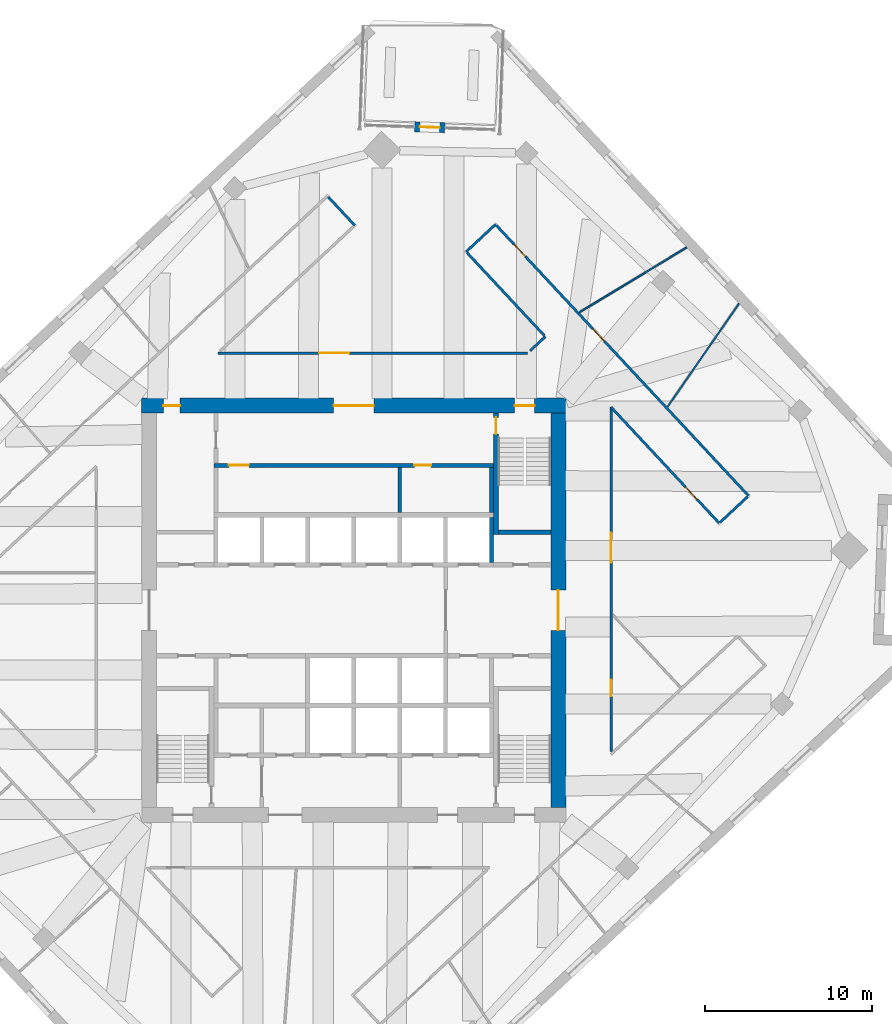
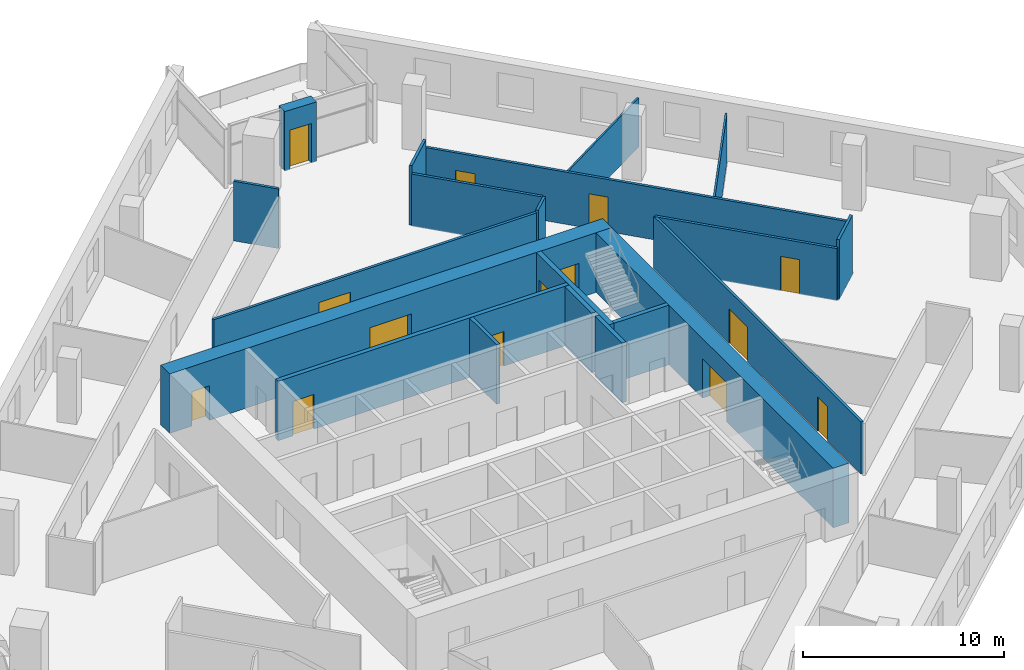
# One storey, part 7 of 10: 20 walls, 14 doors, 14 openings.
"""IFC4 building model written with IfcOpenShell, lengths in metres."""

from ifc_helpers import new_model, si_unit, direction, frame, frame_2d, origin, place, context, subcontext, project, spatial, rectangle, extrude, material, layer, layer_set, type_object, element, fill, save


model = new_model("IFC4")

# Units and contexts
model_context = context("Model", 3, precision=1e-05, world=origin(), true_north=direction((0.0, 1.0)))
body_context = subcontext(model_context, "Body", "Model", "MODEL_VIEW")
ifc_project = project(units=[si_unit("LENGTHUNIT", "METRE"), si_unit("AREAUNIT", "SQUARE_METRE"), si_unit("VOLUMEUNIT", "CUBIC_METRE"), si_unit("PLANEANGLEUNIT", "RADIAN"), si_unit("MASSUNIT", "GRAM", prefix="KILO")], contexts=[model_context])

# Site, building, storey
site_placement = place(None, origin())
site = spatial("IfcSite", under=ifc_project, at=site_placement, CompositionType="ELEMENT")
building_placement = place(site_placement, origin())
building = spatial("IfcBuilding", under=site, at=building_placement, Name="Dilmun Exchange Tower", CompositionType="ELEMENT")
storey_placement = place(building_placement, frame((0.0, 0.0, 197.300048828125)))
storey = spatial("IfcBuildingStorey", under=building, at=storey_placement, Name="L46", CompositionType="ELEMENT", Elevation=197.300048828125)

# Walls
ifc_material_1 = material(Name="Concrete C40/50", Category="concrete")
ifc_layer_1 = layer(ifc_material_1, 0.199951171875)
ifc_layer_set_1 = layer_set([ifc_layer_1], Name="Concrete C40/50")
wall_type_1 = type_object("IfcWallType", Name="Core partition wall 200", PredefinedType="PARTITIONING", material=ifc_layer_set_1)
wall_1_placement = place(storey_placement, frame((2.75, 5.85498046875, 0.0), z_axis=(0.0, 0.0, 1.0), x_axis=(0.0, 1.0, 0.0)))
element("IfcWall", 1, at=wall_1_placement, inside=storey, type_object=wall_type_1, Name="L46 core partition wall 16", PredefinedType="PARTITIONING", context=body_context, shape_type="SweptSolid", body=[
    extrude(rectangle(XDim=2.68994140625, YDim=0.199951171875, at=frame_2d((1.344970703125, 0.0))), origin(), (0.0, 0.0, 1.0), 3.619873046875),
])
ifc_layer_2 = layer(ifc_material_1, 0.25)
ifc_layer_set_2 = layer_set([ifc_layer_2], Name="Concrete C40/50")
wall_type_2 = type_object("IfcWallType", Name="Core partition wall 250", PredefinedType="PARTITIONING", material=ifc_layer_set_2)
wall_2_placement = place(storey_placement, frame((8.25, 5.85498046875, 0.0), z_axis=(0.0, 0.0, 1.0), x_axis=(0.0, 1.0, 0.0)))
element("IfcWall", 2, at=wall_2_placement, inside=storey, type_object=wall_type_2, Name="L46 core partition wall 17", PredefinedType="PARTITIONING", context=body_context, shape_type="SweptSolid", body=[
    extrude(rectangle(XDim=2.68994140625, YDim=0.25, at=frame_2d((1.344970703125, 0.0))), origin(), (0.0, 0.0, 1.0), 3.619873046875),
])

# Wall, openings, doors
wall_3_placement = place(storey_placement, frame((-8.35009765625, 8.675048828125, 0.0), z_axis=(0.0, 0.0, 1.0), x_axis=(1.0, 0.0, 0.0)))
wall_3 = element("IfcWall", 3, at=wall_3_placement, inside=storey, type_object=wall_type_2, Name="L46 core partition wall 18", PredefinedType="PARTITIONING", context=body_context, shape_type="SweptSolid", body=[
    extrude(rectangle(XDim=16.72021484375, YDim=0.25, at=frame_2d((8.360107421875, 0.0))), origin(), (0.0, 0.0, 1.0), 3.619873046875),
])
opening_1_placement = place(wall_3_placement, frame((0.875, 0.0, 0.0)))
opening_1 = element("IfcOpeningElement", 4, at=opening_1_placement, cuts=wall_3, Name="Opening CD3", PredefinedType="OPENING", context=body_context, shape_type="SweptSolid", body=[
    extrude(rectangle(XDim=1.199951171875, YDim=2.10009765625, at=frame_2d((0.60009765625, 1.050048828125))), frame((0.0, 0.135009765625, 0.0), z_axis=(0.0, -1.0, 0.0), x_axis=(1.0, 0.0, 0.0)), (0.0, 0.0, 1.0), 0.27001953125),
])
opening_2_placement = place(wall_3_placement, frame((11.97509765625, 0.0, 0.0)))
opening_2 = element("IfcOpeningElement", 5, at=opening_2_placement, cuts=wall_3, Name="Opening CD4", PredefinedType="OPENING", context=body_context, shape_type="SweptSolid", body=[
    extrude(rectangle(XDim=1.0, YDim=2.10009765625, at=frame_2d((0.5, 1.050048828125))), frame((0.0, 0.135009765625, 0.0), z_axis=(0.0, -1.0, 0.0), x_axis=(1.0, 0.0, 0.0)), (0.0, 0.0, 1.0), 0.27001953125),
])
ifc_material_2 = material(Name="Fire-rated steel door set", Category="steel")
door_type_1 = type_object("IfcDoorType", Name="Core room door 1000x2100", OperationType="SINGLE_SWING_LEFT", PredefinedType="DOOR", material=ifc_material_2)
door_1_placement = place(opening_2_placement, origin())
door_1 = element("IfcDoor", 6, at=door_1_placement, inside=storey, type_object=door_type_1, Name="L46 door Print and mail room", OperationType="SINGLE_SWING_LEFT", OverallHeight=2.10009765625, OverallWidth=1.0, PredefinedType="DOOR", context=body_context, shape_type="SweptSolid", body=[
    extrude(rectangle(XDim=1.0, YDim=2.10009765625, at=frame_2d((0.5, 1.050048828125))), frame((0.0, 0.02490234375, 0.0), z_axis=(0.0, -1.0, 0.0), x_axis=(1.0, 0.0, 0.0)), (0.0, 0.0, 1.0), 0.050048828125),
])
fill(opening_2, door_1)
door_type_2 = type_object("IfcDoorType", Name="Stair exit door 1200x2100", OperationType="SINGLE_SWING_LEFT", PredefinedType="DOOR", material=ifc_material_2)
door_2_placement = place(opening_1_placement, origin())
door_2 = element("IfcDoor", 7, at=door_2_placement, inside=storey, type_object=door_type_2, Name="L46 door Facilities workshop", OperationType="SINGLE_SWING_LEFT", OverallHeight=2.10009765625, OverallWidth=1.199951171875, PredefinedType="DOOR", context=body_context, shape_type="SweptSolid", body=[
    extrude(rectangle(XDim=1.199951171875, YDim=2.10009765625, at=frame_2d((0.60009765625, 1.050048828125))), frame((0.0, 0.02490234375, 0.0), z_axis=(0.0, -1.0, 0.0), x_axis=(1.0, 0.0, 0.0)), (0.0, 0.0, 1.0), 0.050048828125),
])
fill(opening_1, door_2)

ifc_material_3 = material(Name="Concrete C60/75", Category="concrete")
ifc_layer_3 = layer(ifc_material_3, 0.89990234375)
ifc_layer_set_3 = layer_set([ifc_layer_3], Name="Concrete C60/75")
wall_type_3 = type_object("IfcWallType", Name="Core shear wall 900 Concrete C60/75", PredefinedType="SHEAR", material=ifc_layer_set_3)
wall_4_placement = place(storey_placement, frame((-12.699951171875, 12.25, 0.0), z_axis=(0.0, 0.0, 1.0), x_axis=(1.0, 0.0, 0.0)))
wall_4 = element("IfcWall", 8, at=wall_4_placement, inside=storey, type_object=wall_type_3, Name="L46 core shear wall N", PredefinedType="SHEAR", context=body_context, shape_type="SweptSolid", body=[
    extrude(rectangle(XDim=25.39990234375, YDim=0.89990234375, at=frame_2d((12.699951171875, 0.0))), origin(), (0.0, 0.0, 1.0), 3.619873046875),
])
opening_3_placement = place(wall_4_placement, frame((11.5, 0.0, 0.0)))
opening_3 = element("IfcOpeningElement", 9, at=opening_3_placement, cuts=wall_4, Name="Opening CD1", PredefinedType="OPENING", context=body_context, shape_type="SweptSolid", body=[
    extrude(rectangle(XDim=2.39990234375, YDim=2.39990234375, at=frame_2d((1.199951171875, 1.199951171875))), frame((0.0, 0.4599609375, 0.0), z_axis=(0.0, -1.0, 0.0), x_axis=(1.0, 0.0, 0.0)), (0.0, 0.0, 1.0), 0.919921875),
])
opening_4_placement = place(wall_4_placement, frame((22.324951171875, 0.0, 0.0)))
opening_4 = element("IfcOpeningElement", 10, at=opening_4_placement, cuts=wall_4, Name="Opening CD3", PredefinedType="OPENING", context=body_context, shape_type="SweptSolid", body=[
    extrude(rectangle(XDim=1.199951171875, YDim=2.10009765625, at=frame_2d((0.60009765625, 1.050048828125))), frame((0.0, 0.4599609375, 0.0), z_axis=(0.0, -1.0, 0.0), x_axis=(1.0, 0.0, 0.0)), (0.0, 0.0, 1.0), 0.919921875),
])
opening_5_placement = place(wall_4_placement, frame((1.300048828125, 0.0, 0.0)))
opening_5 = element("IfcOpeningElement", 11, at=opening_5_placement, cuts=wall_4, Name="Opening CD4", PredefinedType="OPENING", context=body_context, shape_type="SweptSolid", body=[
    extrude(rectangle(XDim=1.0, YDim=2.10009765625, at=frame_2d((0.5, 1.050048828125))), frame((0.0, 0.4599609375, 0.0), z_axis=(0.0, -1.0, 0.0), x_axis=(1.0, 0.0, 0.0)), (0.0, 0.0, 1.0), 0.919921875),
])
door_type_3 = type_object("IfcDoorType", Name="Core lobby door 2400x2400", OperationType="DOUBLE_DOOR_DOUBLE_SWING", PredefinedType="DOOR", material=ifc_material_2)
door_3_placement = place(opening_3_placement, origin())
door_3 = element("IfcDoor", 12, at=door_3_placement, inside=storey, type_object=door_type_3, Name="L46 door North lift lobby", OperationType="SINGLE_SWING_LEFT", OverallHeight=2.39990234375, OverallWidth=2.39990234375, PredefinedType="DOOR", context=body_context, shape_type="SweptSolid", body=[
    extrude(rectangle(XDim=2.39990234375, YDim=2.39990234375, at=frame_2d((1.199951171875, 1.199951171875))), frame((0.0, 0.02490234375, 0.0), z_axis=(0.0, -1.0, 0.0), x_axis=(1.0, 0.0, 0.0)), (0.0, 0.0, 1.0), 0.050048828125),
])
fill(opening_3, door_3)
door_4_placement = place(opening_5_placement, origin())
door_4 = element("IfcDoor", 13, at=door_4_placement, inside=storey, type_object=door_type_1, Name="L46 door North-west core rooms", OperationType="SINGLE_SWING_LEFT", OverallHeight=2.10009765625, OverallWidth=1.0, PredefinedType="DOOR", context=body_context, shape_type="SweptSolid", body=[
    extrude(rectangle(XDim=1.0, YDim=2.10009765625, at=frame_2d((0.5, 1.050048828125))), frame((0.0, 0.02490234375, 0.0), z_axis=(0.0, -1.0, 0.0), x_axis=(1.0, 0.0, 0.0)), (0.0, 0.0, 1.0), 0.050048828125),
])
fill(opening_5, door_4)
door_5_placement = place(opening_4_placement, origin())
door_5 = element("IfcDoor", 14, at=door_5_placement, inside=storey, type_object=door_type_2, Name="L46 door Stair ST1", OperationType="SINGLE_SWING_LEFT", OverallHeight=2.10009765625, OverallWidth=1.199951171875, PredefinedType="DOOR", context=body_context, shape_type="SweptSolid", body=[
    extrude(rectangle(XDim=1.199951171875, YDim=2.10009765625, at=frame_2d((0.60009765625, 1.050048828125))), frame((0.0, 0.02490234375, 0.0), z_axis=(0.0, -1.0, 0.0), x_axis=(1.0, 0.0, 0.0)), (0.0, 0.0, 1.0), 0.050048828125),
])
fill(opening_4, door_5)

# Wall, opening, door
wall_5_placement = place(storey_placement, frame((12.25, -11.800048828125, 0.0), z_axis=(0.0, 0.0, 1.0), x_axis=(0.0, 1.0, 0.0)))
wall_5 = element("IfcWall", 15, at=wall_5_placement, inside=storey, type_object=wall_type_3, Name="L46 core shear wall E", PredefinedType="SHEAR", context=body_context, shape_type="SweptSolid", body=[
    extrude(rectangle(XDim=23.60009765625, YDim=0.89990234375, at=frame_2d((11.800048828125, 0.0))), origin(), (0.0, 0.0, 1.0), 3.619873046875),
])
opening_6_placement = place(wall_5_placement, frame((10.60009765625, 0.0, 0.0)))
opening_6 = element("IfcOpeningElement", 16, at=opening_6_placement, cuts=wall_5, Name="Opening CD1", PredefinedType="OPENING", context=body_context, shape_type="SweptSolid", body=[
    extrude(rectangle(XDim=2.39990234375, YDim=2.39990234375, at=frame_2d((1.199951171875, 1.199951171875))), frame((0.0, 0.4599609375, 0.0), z_axis=(0.0, -1.0, 0.0), x_axis=(1.0, 0.0, 0.0)), (0.0, 0.0, 1.0), 0.919921875),
])
door_6_placement = place(opening_6_placement, origin())
door_6 = element("IfcDoor", 17, at=door_6_placement, inside=storey, type_object=door_type_3, Name="L46 door Central lift lobby", OperationType="SINGLE_SWING_LEFT", OverallHeight=2.39990234375, OverallWidth=2.39990234375, PredefinedType="DOOR", context=body_context, shape_type="SweptSolid", body=[
    extrude(rectangle(XDim=2.39990234375, YDim=2.39990234375, at=frame_2d((1.199951171875, 1.199951171875))), frame((0.0, 0.02490234375, 0.0), z_axis=(0.0, -1.0, 0.0), x_axis=(1.0, 0.0, 0.0)), (0.0, 0.0, 1.0), 0.050048828125),
])
fill(opening_6, door_6)

ifc_material_4 = material(Name="Corridor wall 150")
ifc_layer_4 = layer(ifc_material_4, 0.14990234375)
ifc_layer_set_4 = layer_set([ifc_layer_4], Name="Corridor wall 150")
wall_type_4 = type_object("IfcWallType", Name="Corridor wall 150", PredefinedType="PARTITIONING", material=ifc_layer_set_4)
wall_6_placement = place(storey_placement, frame((-8.12890625, 15.39990234375, 0.0), z_axis=(0.0, 0.0, 1.0), x_axis=(1.0, 0.0, 0.0)))
wall_6 = element("IfcWall", 18, at=wall_6_placement, inside=storey, type_object=wall_type_4, Name="Corridor wall", PredefinedType="PARTITIONING", context=body_context, shape_type="SweptSolid", body=[
    extrude(rectangle(XDim=18.5439453125, YDim=0.14990234375, at=frame_2d((9.27197265625, 0.0))), origin(), (0.0, 0.0, 1.0), 3.169921875),
])
opening_7_placement = place(wall_6_placement, frame((6.050048828125, 0.0, 0.0)))
opening_7 = element("IfcOpeningElement", 19, at=opening_7_placement, cuts=wall_6, Name="Opening TF46-D11", PredefinedType="OPENING", context=body_context, shape_type="SweptSolid", body=[
    extrude(rectangle(XDim=1.800048828125, YDim=2.10009765625, at=frame_2d((0.89990234375, 1.050048828125))), frame((0.0, 0.0849609375, 0.0), z_axis=(0.0, -1.0, 0.0), x_axis=(1.0, 0.0, 0.0)), (0.0, 0.0, 1.0), 0.169921875),
])
ifc_material_5 = material(Name="Fire door pair 1800 x 2100")
door_type_4 = type_object("IfcDoorType", Name="Fire door pair 1800 x 2100", OperationType="NOTDEFINED", PredefinedType="DOOR", material=ifc_material_5)
door_7_placement = place(opening_7_placement, origin())
door_7 = element("IfcDoor", 20, at=door_7_placement, inside=storey, type_object=door_type_4, Name="Door TF46-D11", OperationType="DOUBLE_DOOR_SINGLE_SWING", OverallHeight=2.10009765625, OverallWidth=1.800048828125, PredefinedType="DOOR", context=body_context, shape_type="SweptSolid", body=[
    extrude(rectangle(XDim=1.800048828125, YDim=2.10009765625, at=frame_2d((0.89990234375, 1.050048828125))), frame((0.0, 0.02490234375, 0.0), z_axis=(0.0, -1.0, 0.0), x_axis=(1.0, 0.0, 0.0)), (0.0, 0.0, 1.0), 0.050048828125),
])
fill(opening_7, door_7)

# Walls
wall_7_placement = place(storey_placement, frame((-1.52490234375, 24.738037109375, 0.0), z_axis=(0.0, 0.0, 1.0), x_axis=(0.682161090026, -0.731201919619, 0.0)))
element("IfcWall", 21, at=wall_7_placement, inside=storey, type_object=wall_type_4, Name="Corridor wall", PredefinedType="PARTITIONING", context=body_context, shape_type="SweptSolid", body=[
    extrude(rectangle(XDim=2.324951171875, YDim=0.14990234375, at=frame_2d((1.16259765625, 0.0))), origin(), (0.0, 0.0, 1.0), 3.619873046875),
])
wall_8_placement = place(storey_placement, frame((6.72900390625, 21.4609375, 0.0), z_axis=(0.0, 0.0, 1.0), x_axis=(0.731451066601, 0.681893933958, 0.0)))
element("IfcWall", 22, at=wall_8_placement, inside=storey, type_object=wall_type_4, Name="Corridor wall", PredefinedType="PARTITIONING", context=body_context, shape_type="SweptSolid", body=[
    extrude(rectangle(XDim=2.399169921875, YDim=0.14990234375, at=frame_2d((1.19970703125, 0.0))), origin(), (0.0, 0.0, 1.0), 3.619873046875),
])
wall_9_placement = place(storey_placement, frame((6.780029296875, 21.406005859375, 0.0), z_axis=(0.0, 0.0, 1.0), x_axis=(0.681923958899, -0.731423074752, 0.0)))
element("IfcWall", 23, at=wall_9_placement, inside=storey, type_object=wall_type_4, Name="Corridor wall", PredefinedType="PARTITIONING", context=body_context, shape_type="SweptSolid", body=[
    extrude(rectangle(XDim=6.796630859375, YDim=0.14990234375, at=frame_2d((3.3984375, 0.0))), origin(), (0.0, 0.0, 1.0), 3.169921875),
])

# Wall, openings, doors
wall_10_placement = place(storey_placement, frame((8.53515625, 23.0419921875, 0.0), z_axis=(0.0, 0.0, 1.0), x_axis=(0.68201130552, -0.73134162957, 0.0)))
wall_10 = element("IfcWall", 24, at=wall_10_placement, inside=storey, type_object=wall_type_4, Name="Corridor wall", PredefinedType="PARTITIONING", context=body_context, shape_type="SweptSolid", body=[
    extrude(rectangle(XDim=22.13720703125, YDim=0.14990234375, at=frame_2d((11.068603515625, 0.0))), origin(), (0.0, 0.0, 1.0), 3.169921875),
])
opening_8_placement = place(wall_10_placement, frame((1.550048828125, 0.0, 0.0)))
opening_8 = element("IfcOpeningElement", 25, at=opening_8_placement, cuts=wall_10, Name="Opening TF46-D12", PredefinedType="OPENING", context=body_context, shape_type="SweptSolid", body=[
    extrude(rectangle(XDim=1.0, YDim=2.10009765625, at=frame_2d((0.5, 1.050048828125))), frame((0.0, 0.0849609375, 0.0), z_axis=(0.0, -1.0, 0.0), x_axis=(1.0, 0.0, 0.0)), (0.0, 0.0, 1.0), 0.169921875),
])
opening_9_placement = place(wall_10_placement, frame((8.484619140625, 0.0, 0.0)))
opening_9 = element("IfcOpeningElement", 26, at=opening_9_placement, cuts=wall_10, Name="Opening TF46-D16", PredefinedType="OPENING", context=body_context, shape_type="SweptSolid", body=[
    extrude(rectangle(XDim=1.0, YDim=2.10009765625, at=frame_2d((0.5, 1.050048828125))), frame((0.0, 0.0849609375, 0.0), z_axis=(0.0, -1.0, 0.0), x_axis=(1.0, 0.0, 0.0)), (0.0, 0.0, 1.0), 0.169921875),
])
ifc_material_6 = material(Name="Fire door 1000 x 2100")
door_type_5 = type_object("IfcDoorType", Name="Fire door 1000 x 2100", OperationType="NOTDEFINED", PredefinedType="DOOR", material=ifc_material_6)
door_8_placement = place(opening_8_placement, origin())
door_8 = element("IfcDoor", 27, at=door_8_placement, inside=storey, type_object=door_type_5, Name="Door TF46-D12", OperationType="SINGLE_SWING_RIGHT", OverallHeight=2.10009765625, OverallWidth=1.0, PredefinedType="DOOR", context=body_context, shape_type="SweptSolid", body=[
    extrude(rectangle(XDim=1.0, YDim=2.10009765625, at=frame_2d((0.5, 1.050048828125))), frame((0.0, 0.02490234375, 0.0), z_axis=(0.0, -1.0, 0.0), x_axis=(1.0, 0.0, 0.0)), (0.0, 0.0, 1.0), 0.050048828125),
])
fill(opening_8, door_8)
door_9_placement = place(opening_9_placement, origin())
door_9 = element("IfcDoor", 28, at=door_9_placement, inside=storey, type_object=door_type_5, Name="Door TF46-D16", OperationType="SINGLE_SWING_RIGHT", OverallHeight=2.10009765625, OverallWidth=1.0, PredefinedType="DOOR", context=body_context, shape_type="SweptSolid", body=[
    extrude(rectangle(XDim=1.0, YDim=2.10009765625, at=frame_2d((0.5, 1.050048828125))), frame((0.0, 0.02490234375, 0.0), z_axis=(0.0, -1.0, 0.0), x_axis=(1.0, 0.0, 0.0)), (0.0, 0.0, 1.0), 0.050048828125),
])
fill(opening_9, door_9)

# Wall
wall_11_placement = place(storey_placement, frame((10.55419921875, 15.52978515625, 0.0), z_axis=(0.0, 0.0, 1.0), x_axis=(0.731445889193, 0.681899487596, 0.0)))
element("IfcWall", 29, at=wall_11_placement, inside=storey, type_object=wall_type_4, Name="Corridor wall", PredefinedType="PARTITIONING", context=body_context, shape_type="SweptSolid", body=[
    extrude(rectangle(XDim=1.24658203125, YDim=0.14990234375, at=frame_2d((0.623291015625, 0.0))), origin(), (0.0, 0.0, 1.0), 3.169921875),
])

# Wall, openings, doors
wall_12_placement = place(storey_placement, frame((15.39990234375, -8.447509765625, 0.0), z_axis=(0.0, 0.0, 1.0), x_axis=(0.0, 1.0, 0.0)))
wall_12 = element("IfcWall", 30, at=wall_12_placement, inside=storey, type_object=wall_type_4, Name="Corridor wall", PredefinedType="PARTITIONING", context=body_context, shape_type="SweptSolid", body=[
    extrude(rectangle(XDim=20.6083984375, YDim=0.14990234375, at=frame_2d((10.30419921875, 0.0))), origin(), (0.0, 0.0, 1.0), 3.169921875),
])
opening_10_placement = place(wall_12_placement, frame((3.300048828125, 0.0, 0.0)))
opening_10 = element("IfcOpeningElement", 31, at=opening_10_placement, cuts=wall_12, Name="Opening TF46-D15", PredefinedType="OPENING", context=body_context, shape_type="SweptSolid", body=[
    extrude(rectangle(XDim=1.0, YDim=2.10009765625, at=frame_2d((0.5, 1.050048828125))), frame((0.0, 0.0849609375, 0.0), z_axis=(0.0, -1.0, 0.0), x_axis=(1.0, 0.0, 0.0)), (0.0, 0.0, 1.0), 0.169921875),
])
opening_11_placement = place(wall_12_placement, frame((11.2978515625, 0.0, 0.0)))
opening_11 = element("IfcOpeningElement", 32, at=opening_11_placement, cuts=wall_12, Name="Opening TF46-D17", PredefinedType="OPENING", context=body_context, shape_type="SweptSolid", body=[
    extrude(rectangle(XDim=1.800048828125, YDim=2.10009765625, at=frame_2d((0.89990234375, 1.050048828125))), frame((0.0, 0.0849609375, 0.0), z_axis=(0.0, -1.0, 0.0), x_axis=(1.0, 0.0, 0.0)), (0.0, 0.0, 1.0), 0.169921875),
])
door_10_placement = place(opening_10_placement, frame((1.0, 0.0, 0.0), z_axis=(0.0, 0.0, 1.0), x_axis=(-1.0, 0.0, 0.0)))
door_10 = element("IfcDoor", 33, at=door_10_placement, inside=storey, type_object=door_type_5, Name="Door TF46-D15", OperationType="SINGLE_SWING_RIGHT", OverallHeight=2.10009765625, OverallWidth=1.0, PredefinedType="DOOR", context=body_context, shape_type="SweptSolid", body=[
    extrude(rectangle(XDim=1.0, YDim=2.10009765625, at=frame_2d((0.5, 1.050048828125))), frame((0.0, 0.02490234375, 0.0), z_axis=(0.0, -1.0, 0.0), x_axis=(1.0, 0.0, 0.0)), (0.0, 0.0, 1.0), 0.050048828125),
])
fill(opening_10, door_10)
door_11_placement = place(opening_11_placement, frame((1.800048828125, 0.0, 0.0), z_axis=(0.0, 0.0, 1.0), x_axis=(-1.0, 0.0, 0.0)))
door_11 = element("IfcDoor", 34, at=door_11_placement, inside=storey, type_object=door_type_4, Name="Door TF46-D17", OperationType="DOUBLE_DOOR_SINGLE_SWING", OverallHeight=2.10009765625, OverallWidth=1.800048828125, PredefinedType="DOOR", context=body_context, shape_type="SweptSolid", body=[
    extrude(rectangle(XDim=1.800048828125, YDim=2.10009765625, at=frame_2d((0.89990234375, 1.050048828125))), frame((0.0, 0.02490234375, 0.0), z_axis=(0.0, -1.0, 0.0), x_axis=(1.0, 0.0, 0.0)), (0.0, 0.0, 1.0), 0.050048828125),
])
fill(opening_11, door_11)

# Wall, opening, door
wall_13_placement = place(storey_placement, frame((15.39990234375, 12.162109375, 0.0), z_axis=(0.0, 0.0, 1.0), x_axis=(0.681988505996, -0.73136289056, 0.0)))
wall_13 = element("IfcWall", 35, at=wall_13_placement, inside=storey, type_object=wall_type_4, Name="Corridor wall", PredefinedType="PARTITIONING", context=body_context, shape_type="SweptSolid", body=[
    extrude(rectangle(XDim=9.498779296875, YDim=0.14990234375, at=frame_2d((4.74951171875, 0.0))), origin(), (0.0, 0.0, 1.0), 3.169921875),
])
opening_12_placement = place(wall_13_placement, frame((6.550537109375, 0.0, 0.0)))
opening_12 = element("IfcOpeningElement", 36, at=opening_12_placement, cuts=wall_13, Name="Opening TF46-D18", PredefinedType="OPENING", context=body_context, shape_type="SweptSolid", body=[
    extrude(rectangle(XDim=1.0, YDim=2.10009765625, at=frame_2d((0.5, 1.050048828125))), frame((0.0, 0.0849609375, 0.0), z_axis=(0.0, -1.0, 0.0), x_axis=(1.0, 0.0, 0.0)), (0.0, 0.0, 1.0), 0.169921875),
])
door_12_placement = place(opening_12_placement, frame((1.0, 0.0, 0.0), z_axis=(0.0, 0.0, 1.0), x_axis=(-1.0, 0.0, 0.0)))
door_12 = element("IfcDoor", 37, at=door_12_placement, inside=storey, type_object=door_type_5, Name="Door TF46-D18", OperationType="SINGLE_SWING_RIGHT", OverallHeight=2.10009765625, OverallWidth=1.0, PredefinedType="DOOR", context=body_context, shape_type="SweptSolid", body=[
    extrude(rectangle(XDim=1.0, YDim=2.10009765625, at=frame_2d((0.5, 1.050048828125))), frame((0.0, 0.02490234375, 0.0), z_axis=(0.0, -1.0, 0.0), x_axis=(1.0, 0.0, 0.0)), (0.0, 0.0, 1.0), 0.050048828125),
])
fill(opening_12, door_12)

# Walls
wall_14_placement = place(storey_placement, frame((21.932861328125, 5.26611328125, 0.0), z_axis=(0.0, 0.0, 1.0), x_axis=(0.731257309388, 0.682101713431, 0.0)))
element("IfcWall", 38, at=wall_14_placement, inside=storey, type_object=wall_type_4, Name="Corridor wall", PredefinedType="PARTITIONING", context=body_context, shape_type="SweptSolid", body=[
    extrude(rectangle(XDim=2.25, YDim=0.14990234375, at=frame_2d((1.125, 0.0))), origin(), (0.0, 0.0, 1.0), 3.619873046875),
])
ifc_layer_5 = layer(ifc_material_1, 0.25)
ifc_layer_set_5 = layer_set([ifc_layer_5], Name="Concrete C40/50")
wall_type_5 = type_object("IfcWallType", Name="Lift shaft wall 250", PredefinedType="SOLIDWALL", material=ifc_layer_set_5)
wall_15_placement = place(storey_placement, frame((8.25, 2.85009765625, 0.0), z_axis=(0.0, 0.0, 1.0), x_axis=(0.0, 1.0, 0.0)))
element("IfcWall", 39, at=wall_15_placement, inside=storey, type_object=wall_type_5, Name="L46 lift shaft divider N16", PredefinedType="SOLIDWALL", context=body_context, shape_type="SweptSolid", body=[
    extrude(rectangle(XDim=2.699951171875, YDim=0.25, at=frame_2d((1.35009765625, 0.0))), origin(), (0.0, 0.0, 1.0), 3.619873046875),
])
ifc_material_7 = material(Name="Partition 100")
ifc_layer_6 = layer(ifc_material_7, 0.10009765625)
ifc_layer_set_6 = layer_set([ifc_layer_6], Name="Partition 100")
wall_type_6 = type_object("IfcWallType", Name="Partition 100", PredefinedType="PARTITIONING", material=ifc_layer_set_6)
wall_16_placement = place(storey_placement, frame((13.509521484375, 17.8330078125, 0.0), z_axis=(0.0, 0.0, 1.0), x_axis=(0.855459551992, 0.517869631186, 0.0)))
element("IfcWall", 40, at=wall_16_placement, inside=storey, type_object=wall_type_6, Name="Partition", PredefinedType="PARTITIONING", context=body_context, shape_type="SweptSolid", body=[
    extrude(rectangle(XDim=7.5146484375, YDim=0.10009765625, at=frame_2d((3.75732421875, 0.0))), origin(), (0.0, 0.0, 1.0), 2.969970703125),
])
wall_17_placement = place(storey_placement, frame((18.782958984375, 12.17919921875, 0.0), z_axis=(0.0, 0.0, 1.0), x_axis=(0.568978927241, 0.822352102421, 0.0)))
element("IfcWall", 41, at=wall_17_placement, inside=storey, type_object=wall_type_6, Name="Partition", PredefinedType="PARTITIONING", context=body_context, shape_type="SweptSolid", body=[
    extrude(rectangle(XDim=7.5283203125, YDim=0.10009765625, at=frame_2d((3.76416015625, 0.0))), origin(), (0.0, 0.0, 1.0), 2.969970703125),
])

# Wall, opening, door
ifc_material_8 = material(Name="Precast concrete C50/60", Category="concrete")
ifc_layer_7 = layer(ifc_material_8, 0.60009765625)
ifc_layer_set_7 = layer_set([ifc_layer_7], Name="Precast concrete C50/60")
wall_type_7 = type_object("IfcWallType", Name="Precast stone-clad wall 600", PredefinedType="STANDARD", material=ifc_layer_set_7)
wall_18_placement = place(storey_placement, frame((5.44677734375, 28.8828125, 0.0), z_axis=(0.0, 0.0, 1.0), x_axis=(-0.999387493042, 0.034994838926, 0.0)))
wall_18 = element("IfcWall", 42, at=wall_18_placement, inside=storey, type_object=wall_type_7, Name="Facade wall L46-01-D", PredefinedType="STANDARD", context=body_context, shape_type="SweptSolid", body=[
    extrude(rectangle(XDim=1.800048828125, YDim=0.60009765625, at=frame_2d((0.89990234375, 0.0))), origin(), (0.0, 0.0, 1.0), 3.619873046875),
])
opening_13_placement = place(wall_18_placement, frame((0.300048828125, 0.0, 0.0)))
opening_13 = element("IfcOpeningElement", 43, at=opening_13_placement, cuts=wall_18, Name="Opening GD-1", PredefinedType="OPENING", context=body_context, shape_type="SweptSolid", body=[
    extrude(rectangle(XDim=1.199951171875, YDim=2.39990234375, at=frame_2d((0.60009765625, 1.199951171875))), frame((0.0, 0.31005859375, 0.0), z_axis=(0.0, -1.0, 0.0), x_axis=(1.0, 0.0, 0.0)), (0.0, 0.0, 1.0), 0.6201171875),
])
ifc_material_9 = material(Name="Clear low-emissivity glass in aluminium frame", Category="aluminium")
door_type_6 = type_object("IfcDoorType", Name="Glazed garden door 1200 x 2400", OperationType="SINGLE_SWING_LEFT", PredefinedType="DOOR", material=ifc_material_9)
door_13_placement = place(opening_13_placement, origin())
door_13 = element("IfcDoor", 44, at=door_13_placement, inside=storey, type_object=door_type_6, Name="Garden terrace door", OperationType="SINGLE_SWING_LEFT", OverallHeight=2.39990234375, OverallWidth=1.199951171875, PredefinedType="DOOR", context=body_context, shape_type="SweptSolid", body=[
    extrude(rectangle(XDim=1.199951171875, YDim=2.39990234375, at=frame_2d((0.60009765625, 1.199951171875))), frame((0.0, 0.02490234375, 0.0), z_axis=(0.0, -1.0, 0.0), x_axis=(1.0, 0.0, 0.0)), (0.0, 0.0, 1.0), 0.050048828125),
])
fill(opening_13, door_13)

# Wall
ifc_layer_8 = layer(ifc_material_1, 0.25)
ifc_layer_set_8 = layer_set([ifc_layer_8], Name="Concrete C40/50")
wall_type_8 = type_object("IfcWallType", Name="Stair end wall 250", PredefinedType="SOLIDWALL", material=ifc_layer_set_8)
wall_19_placement = place(storey_placement, frame((8.64990234375, 4.675048828125, 0.0), z_axis=(0.0, 0.0, 1.0), x_axis=(1.0, 0.0, 0.0)))
element("IfcWall", 45, at=wall_19_placement, inside=storey, type_object=wall_type_8, Name="L46 ST1 far wall", PredefinedType="SOLIDWALL", context=body_context, shape_type="SweptSolid", body=[
    extrude(rectangle(XDim=3.150146484375, YDim=0.25, at=frame_2d((1.5751953125, 0.0))), origin(), (0.0, 0.0, 1.0), 3.619873046875),
])

# Wall, opening, door
ifc_layer_9 = layer(ifc_material_1, 0.27490234375)
ifc_layer_set_9 = layer_set([ifc_layer_9], Name="Concrete C40/50")
wall_type_9 = type_object("IfcWallType", Name="Stair wall 275", PredefinedType="SOLIDWALL", material=ifc_layer_set_9)
wall_20_placement = place(storey_placement, frame((8.512451171875, 4.550048828125, 0.0), z_axis=(0.0, 0.0, 1.0), x_axis=(0.0, 1.0, 0.0)))
wall_20 = element("IfcWall", 46, at=wall_20_placement, inside=storey, type_object=wall_type_9, Name="L46 ST1 wall to lift block", PredefinedType="SOLIDWALL", context=body_context, shape_type="SweptSolid", body=[
    extrude(rectangle(XDim=7.25, YDim=0.27490234375, at=frame_2d((3.625, 0.0))), origin(), (0.0, 0.0, 1.0), 3.619873046875),
])
opening_14_placement = place(wall_20_placement, frame((6.0, 0.0, 0.0)))
opening_14 = element("IfcOpeningElement", 47, at=opening_14_placement, cuts=wall_20, Name="Opening CD4", PredefinedType="OPENING", context=body_context, shape_type="SweptSolid", body=[
    extrude(rectangle(XDim=1.0, YDim=2.10009765625, at=frame_2d((0.5, 1.050048828125))), frame((0.0, 0.1474609375, 0.0), z_axis=(0.0, -1.0, 0.0), x_axis=(1.0, 0.0, 0.0)), (0.0, 0.0, 1.0), 0.294921875),
])
door_14_placement = place(opening_14_placement, origin())
door_14 = element("IfcDoor", 48, at=door_14_placement, inside=storey, type_object=door_type_1, Name="L46 door ST1 from lobby", OperationType="SINGLE_SWING_LEFT", OverallHeight=2.10009765625, OverallWidth=1.0, PredefinedType="DOOR", context=body_context, shape_type="SweptSolid", body=[
    extrude(rectangle(XDim=1.0, YDim=2.10009765625, at=frame_2d((0.5, 1.050048828125))), frame((0.0, 0.02490234375, 0.0), z_axis=(0.0, -1.0, 0.0), x_axis=(1.0, 0.0, 0.0)), (0.0, 0.0, 1.0), 0.050048828125),
])
fill(opening_14, door_14)

save(model, "model.ifc")
